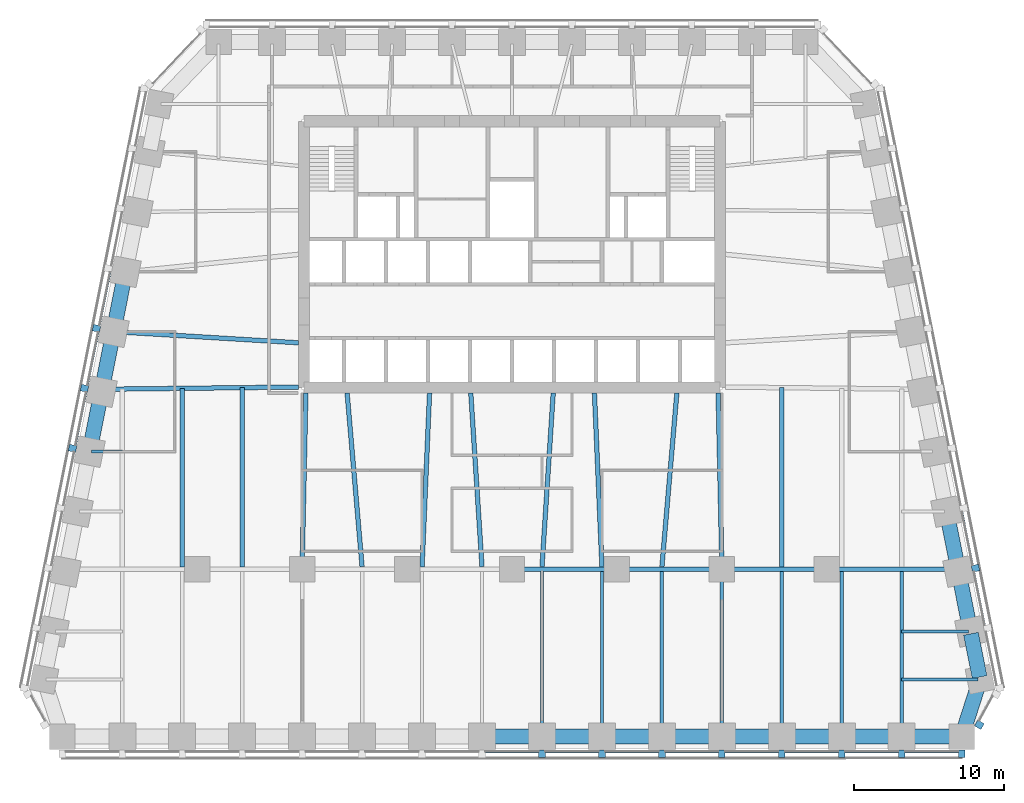
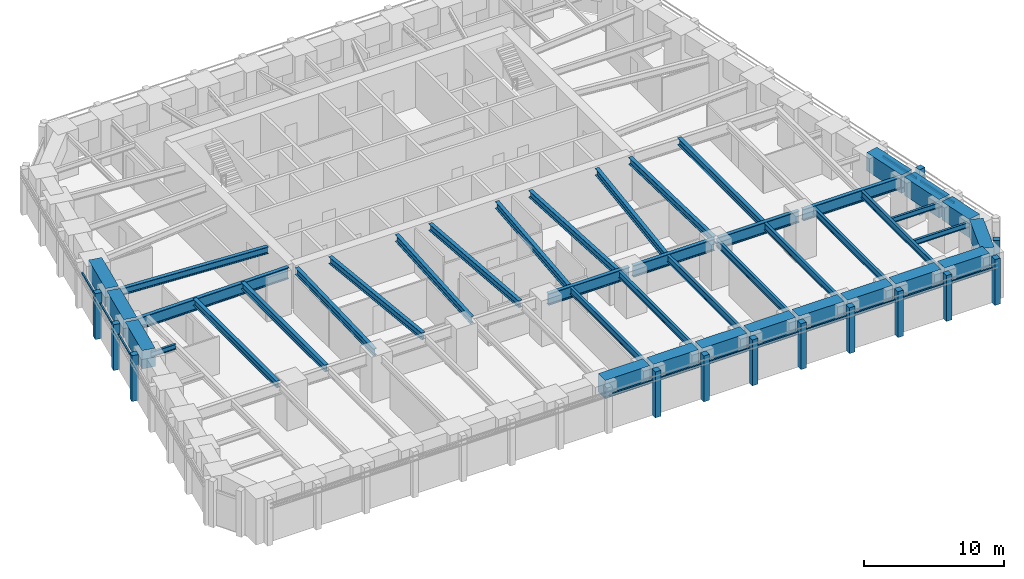
# One storey, part 2 of 10: 42 beams, 26 members, 4 elements without a shape of their own.
"""IFC4 building model written with IfcOpenShell, lengths in metres."""

from ifc_helpers import new_model, si_unit, direction, frame, origin, origin_2d, place, context, subcontext, project, spatial, rectangle, i_section, extrude, material, material_profile, profile_set, type_object, element, aggregate, save


model = new_model("IFC4")

# Units and contexts
model_context = context("Model", 3, precision=1e-05, world=origin(), true_north=direction((0.0, 1.0)))
body_context = subcontext(model_context, "Body", "Model", "MODEL_VIEW")
ifc_project = project(units=[si_unit("LENGTHUNIT", "METRE"), si_unit("AREAUNIT", "SQUARE_METRE"), si_unit("VOLUMEUNIT", "CUBIC_METRE"), si_unit("PLANEANGLEUNIT", "RADIAN"), si_unit("MASSUNIT", "GRAM", prefix="KILO")], contexts=[model_context])

# Site, building, storey
site_placement = place(None, origin())
site = spatial("IfcSite", under=ifc_project, at=site_placement, CompositionType="ELEMENT")
building_placement = place(site_placement, origin())
building = spatial("IfcBuilding", under=site, at=building_placement, Name="Isbrekke Arena Tower", CompositionType="ELEMENT")
storey_placement = place(building_placement, frame((0.0, 0.0, 143.0)))
storey = spatial("IfcBuildingStorey", under=building, at=storey_placement, Name="L32", CompositionType="ELEMENT", Elevation=143.0)

# Beams
ifc_material_1 = material(Name="Steel S355", Category="steel")
ifc_material_profile_1 = material_profile(ifc_material_1, i_section(OverallWidth=0.219970703125, OverallDepth=0.60009765625, WebThickness=0.011962890625, FlangeThickness=0.01904296875, FilletRadius=0.02392578125, at=origin_2d()), Name="IPE 600")
ifc_profile_set_1 = profile_set([ifc_material_profile_1], Name="Steel S355")
beam_type_1 = type_object("IfcBeamType", Name="B1 IPE 600", PredefinedType="BEAM", material=ifc_profile_set_1)
for number, where, z_axis, x_axis, name in (
    (1, (2.0, -17.02490234375, 3.550048828125), (0.0, 1.0, 0.0), (-1.0, 0.0, 0.0), "B1 beam S-S09 L32"),
    (2, (6.0, -17.02490234375, 3.550048828125), (0.0, 1.0, 0.0), (-1.0, 0.0, 0.0), "B1 beam S-S10 L32"),
    (3, (10.0, -17.02490234375, 3.550048828125), (0.0, 1.0, 0.0), (-1.0, 0.0, 0.0), "B1 beam S-S11 L32"),
):
    element("IfcBeam", number, at=place(storey_placement, frame(where, z_axis=z_axis, x_axis=x_axis)), inside=storey, type_object=beam_type_1, Name=name, PredefinedType="BEAM", context=body_context, shape_type="SweptSolid", body=[
        extrude(i_section(OverallWidth=0.219970703125, OverallDepth=0.60009765625, WebThickness=0.011962890625, FlangeThickness=0.01904296875, FilletRadius=0.02392578125, at=origin_2d()), origin(), (0.0, 0.0, 1.0), 10.8740234375),
    ])
beam_1_placement = place(storey_placement, frame((14.0, -17.02490234375, 3.550048828125), z_axis=(0.0, 1.0, 0.0), x_axis=(-1.0, 0.0, 0.0)))
element("IfcBeam", 4, at=beam_1_placement, inside=storey, type_object=beam_type_1, Name="B1 beam S-S12 L32", PredefinedType="BEAM", context=body_context, shape_type="SweptSolid", body=[
    extrude(i_section(OverallWidth=0.219970703125, OverallDepth=0.60009765625, WebThickness=0.011962890625, FlangeThickness=0.01904296875, FilletRadius=0.02392578125, at=origin_2d()), origin(), (0.0, 0.0, 1.0), 10.875),
])
for number, where, z_axis, x_axis, name in (
    (5, (18.0, -17.02490234375, 3.550048828125), (0.0, 1.0, 0.0), (-1.0, 0.0, 0.0), "B1 beam S-S13 L32"),
    (6, (22.0, -17.02490234375, 3.550048828125), (0.0, 1.0, 0.0), (-1.0, 0.0, 0.0), "B1 beam S-S14 L32"),
    (7, (26.0, -17.02490234375, 3.550048828125), (0.0, 1.0, 0.0), (-1.0, 0.0, 0.0), "B1 beam S-S15 L32"),
):
    element("IfcBeam", number, at=place(storey_placement, frame(where, z_axis=z_axis, x_axis=x_axis)), inside=storey, type_object=beam_type_1, Name=name, PredefinedType="BEAM", context=body_context, shape_type="SweptSolid", body=[
        extrude(i_section(OverallWidth=0.219970703125, OverallDepth=0.60009765625, WebThickness=0.011962890625, FlangeThickness=0.01904296875, FilletRadius=0.02392578125, at=origin_2d()), origin(), (0.0, 0.0, 1.0), 10.8740234375),
    ])
ifc_material_2 = material(Name="Steel S355", Category="steel")
ifc_material_profile_2 = material_profile(ifc_material_2, i_section(OverallWidth=0.18994140625, OverallDepth=0.449951171875, WebThickness=0.009521484375, FlangeThickness=0.0146484375, FilletRadius=0.02099609375, at=origin_2d()), Name="IPE 450")
ifc_profile_set_2 = profile_set([ifc_material_profile_2], Name="Steel S355")
beam_type_2 = type_object("IfcBeamType", Name="B2 IPE 450", PredefinedType="BEAM", material=ifc_profile_set_2)
beam_2_placement = place(storey_placement, frame((31.079345703125, -13.352783203125, 3.625), z_axis=(-1.0, 0.0, 0.0), x_axis=(0.0, -1.0, 0.0)))
element("IfcBeam", 8, at=beam_2_placement, inside=storey, type_object=beam_type_2, Name="B2 beam E-E01 L32", PredefinedType="BEAM", context=body_context, shape_type="SweptSolid", body=[
    extrude(i_section(OverallWidth=0.18994140625, OverallDepth=0.449951171875, WebThickness=0.009521484375, FlangeThickness=0.0146484375, FilletRadius=0.02099609375, at=origin_2d()), origin(), (0.0, 0.0, 1.0), 5.079345703125),
])
beam_3_placement = place(storey_placement, frame((30.44091796875, -10.161865234375, 3.625), z_axis=(-1.0, 0.0, 0.0), x_axis=(0.0, -1.0, 0.0)))
element("IfcBeam", 9, at=beam_3_placement, inside=storey, type_object=beam_type_2, Name="B2 beam E-E02 L32", PredefinedType="BEAM", context=body_context, shape_type="SweptSolid", body=[
    extrude(i_section(OverallWidth=0.18994140625, OverallDepth=0.449951171875, WebThickness=0.009521484375, FlangeThickness=0.0146484375, FilletRadius=0.02099609375, at=origin_2d()), origin(), (0.0, 0.0, 1.0), 4.44091796875),
])
beam_4_placement = place(storey_placement, frame((-28.041015625, 1.838134765625, 3.625), z_axis=(1.0, 0.0, 0.0), x_axis=(0.0, 1.0, 0.0)))
element("IfcBeam", 10, at=beam_4_placement, inside=storey, type_object=beam_type_2, Name="B2 beam E-W07 L32", PredefinedType="BEAM", context=body_context, shape_type="SweptSolid", body=[
    extrude(i_section(OverallWidth=0.18994140625, OverallDepth=0.449951171875, WebThickness=0.009521484375, FlangeThickness=0.0146484375, FilletRadius=0.02099609375, at=origin_2d()), origin(), (0.0, 0.0, 1.0), 2.041015625),
])
ifc_material_3 = material(Name="Steel S355", Category="steel")
ifc_material_profile_3 = material_profile(ifc_material_3, i_section(OverallWidth=0.300048828125, OverallDepth=0.60009765625, WebThickness=0.015380859375, FlangeThickness=0.030029296875, FilletRadius=0.027099609375, at=origin_2d()), Name="HEB 600")
ifc_profile_set_3 = profile_set([ifc_material_profile_3], Name="Steel S355")
beam_type_3 = type_object("IfcBeamType", Name="B7 HEB 600", PredefinedType="BEAM", material=ifc_profile_set_3)
beam_5_placement = place(storey_placement, frame((-22.0, -5.84912109375, 3.550048828125), z_axis=(0.0, 1.0, 0.0), x_axis=(-1.0, 0.0, 0.0)))
element("IfcBeam", 11, at=beam_5_placement, inside=storey, type_object=beam_type_3, Name="B7 beam C-M02 L32", PredefinedType="BEAM", context=body_context, shape_type="SweptSolid", body=[
    extrude(i_section(OverallWidth=0.300048828125, OverallDepth=0.60009765625, WebThickness=0.015380859375, FlangeThickness=0.030029296875, FilletRadius=0.027099609375, at=origin_2d()), origin(), (0.0, 0.0, 1.0), 11.91064453125),
])
beam_6_placement = place(storey_placement, frame((-18.0, -5.84912109375, 3.550048828125), z_axis=(0.0, 1.0, 0.0), x_axis=(-1.0, 0.0, 0.0)))
element("IfcBeam", 12, at=beam_6_placement, inside=storey, type_object=beam_type_3, Name="B7 beam C-M03 L32", PredefinedType="BEAM", context=body_context, shape_type="SweptSolid", body=[
    extrude(i_section(OverallWidth=0.300048828125, OverallDepth=0.60009765625, WebThickness=0.015380859375, FlangeThickness=0.030029296875, FilletRadius=0.027099609375, at=origin_2d()), origin(), (0.0, 0.0, 1.0), 11.956298828125),
])
beam_7_placement = place(storey_placement, frame((-14.0, -5.8466796875, 3.550048828125), z_axis=(0.021552887044, 0.999767709551, 0.0), x_axis=(-0.999767709551, 0.021552887044, 0.0)))
element("IfcBeam", 13, at=beam_7_placement, inside=storey, type_object=beam_type_3, Name="B7 beam C-M04 L32", PredefinedType="BEAM", context=body_context, shape_type="SweptSolid", body=[
    extrude(i_section(OverallWidth=0.300048828125, OverallDepth=0.60009765625, WebThickness=0.015380859375, FlangeThickness=0.030029296875, FilletRadius=0.027099609375, at=origin_2d()), origin(), (0.0, 0.0, 1.0), 11.599365234375),
])
beam_8_placement = place(storey_placement, frame((-10.001220703125, -5.836181640625, 3.550048828125), z_axis=(-0.085885827104, 0.996304985786, 0.0), x_axis=(-0.996304985786, -0.085885827104, 0.0)))
element("IfcBeam", 14, at=beam_8_placement, inside=storey, type_object=beam_type_3, Name="B7 beam C-M05 L32", PredefinedType="BEAM", context=body_context, shape_type="SweptSolid", body=[
    extrude(i_section(OverallWidth=0.300048828125, OverallDepth=0.60009765625, WebThickness=0.015380859375, FlangeThickness=0.030029296875, FilletRadius=0.027099609375, at=origin_2d()), origin(), (0.0, 0.0, 1.0), 11.629150390625),
])
beam_9_placement = place(storey_placement, frame((-5.999755859375, -5.842529296875, 3.550048828125), z_axis=(0.043070161667, 0.999072050041, 0.0), x_axis=(-0.999072050041, 0.043070161667, 0.0)))
element("IfcBeam", 15, at=beam_9_placement, inside=storey, type_object=beam_type_3, Name="B7 beam C-M06 L32", PredefinedType="BEAM", context=body_context, shape_type="SweptSolid", body=[
    extrude(i_section(OverallWidth=0.300048828125, OverallDepth=0.60009765625, WebThickness=0.015380859375, FlangeThickness=0.030029296875, FilletRadius=0.027099609375, at=origin_2d()), origin(), (0.0, 0.0, 1.0), 11.603271484375),
])
for number, where, z_axis, x_axis, name in (
    (16, (-2.000732421875, -5.83935546875, 3.550048828125), (-0.064516666031, 0.997916629686, 0.0), (-0.997916629686, -0.064516666031, 0.0), "B7 beam C-M07 L32"),
    (17, (2.000732421875, -5.83935546875, 3.550048828125), (0.064516666031, 0.997916629686, 0.0), (-0.997916629686, 0.064516666031, 0.0), "B7 beam C-M08 L32"),
):
    element("IfcBeam", number, at=place(storey_placement, frame(where, z_axis=z_axis, x_axis=x_axis)), inside=storey, type_object=beam_type_3, Name=name, PredefinedType="BEAM", context=body_context, shape_type="SweptSolid", body=[
        extrude(i_section(OverallWidth=0.300048828125, OverallDepth=0.60009765625, WebThickness=0.015380859375, FlangeThickness=0.030029296875, FilletRadius=0.027099609375, at=origin_2d()), origin(), (0.0, 0.0, 1.0), 11.613525390625),
    ])
beam_10_placement = place(storey_placement, frame((5.999755859375, -5.842529296875, 3.550048828125), z_axis=(-0.043070161667, 0.999072050041, 0.0), x_axis=(-0.999072050041, -0.043070161667, 0.0)))
element("IfcBeam", 18, at=beam_10_placement, inside=storey, type_object=beam_type_3, Name="B7 beam C-M09 L32", PredefinedType="BEAM", context=body_context, shape_type="SweptSolid", body=[
    extrude(i_section(OverallWidth=0.300048828125, OverallDepth=0.60009765625, WebThickness=0.015380859375, FlangeThickness=0.030029296875, FilletRadius=0.027099609375, at=origin_2d()), origin(), (0.0, 0.0, 1.0), 11.603271484375),
])
beam_11_placement = place(storey_placement, frame((10.001220703125, -5.836181640625, 3.550048828125), z_axis=(0.085885827104, 0.996304985786, 0.0), x_axis=(-0.996304985786, 0.085885827104, 0.0)))
element("IfcBeam", 19, at=beam_11_placement, inside=storey, type_object=beam_type_3, Name="B7 beam C-M10 L32", PredefinedType="BEAM", context=body_context, shape_type="SweptSolid", body=[
    extrude(i_section(OverallWidth=0.300048828125, OverallDepth=0.60009765625, WebThickness=0.015380859375, FlangeThickness=0.030029296875, FilletRadius=0.027099609375, at=origin_2d()), origin(), (0.0, 0.0, 1.0), 11.629150390625),
])
beam_12_placement = place(storey_placement, frame((14.0, -5.8466796875, 3.550048828125), z_axis=(-0.021552887044, 0.999767709551, 0.0), x_axis=(-0.999767709551, -0.021552887044, 0.0)))
element("IfcBeam", 20, at=beam_12_placement, inside=storey, type_object=beam_type_3, Name="B7 beam C-M11 L32", PredefinedType="BEAM", context=body_context, shape_type="SweptSolid", body=[
    extrude(i_section(OverallWidth=0.300048828125, OverallDepth=0.60009765625, WebThickness=0.015380859375, FlangeThickness=0.030029296875, FilletRadius=0.027099609375, at=origin_2d()), origin(), (0.0, 0.0, 1.0), 11.599365234375),
])
beam_13_placement = place(storey_placement, frame((18.0, -5.84912109375, 3.550048828125), z_axis=(0.0, 1.0, 0.0), x_axis=(-1.0, 0.0, 0.0)))
element("IfcBeam", 21, at=beam_13_placement, inside=storey, type_object=beam_type_3, Name="B7 beam C-M12 L32", PredefinedType="BEAM", context=body_context, shape_type="SweptSolid", body=[
    extrude(i_section(OverallWidth=0.300048828125, OverallDepth=0.60009765625, WebThickness=0.015380859375, FlangeThickness=0.030029296875, FilletRadius=0.027099609375, at=origin_2d()), origin(), (0.0, 0.0, 1.0), 11.956298828125),
])
beam_14_placement = place(storey_placement, frame((-26.431884765625, 9.837646484375, 3.550048828125), z_axis=(0.998172191876, -0.060434057993, 0.0), x_axis=(0.060434057993, 0.998172191876, 0.0)))
element("IfcBeam", 22, at=beam_14_placement, inside=storey, type_object=beam_type_3, Name="B7 beam E-W05 L32", PredefinedType="BEAM", context=body_context, shape_type="SweptSolid", body=[
    extrude(i_section(OverallWidth=0.300048828125, OverallDepth=0.60009765625, WebThickness=0.015380859375, FlangeThickness=0.030029296875, FilletRadius=0.027099609375, at=origin_2d()), origin(), (0.0, 0.0, 1.0), 12.2041015625),
])

# Curtain wall, members
ifc_material_4 = material(Name="Glazed aluminium curtain wall", Category="aluminium")
curtain_wall_type = type_object("IfcCurtainWallType", Name="CWM TOWER CURTAIN WALL MID ZONE", PredefinedType="USERDEFINED", material=ifc_material_4)
curtain_wall_1_placement = place(storey_placement, origin())
curtain_wall_1 = element("IfcCurtainWall", 23, at=curtain_wall_1_placement, inside=storey, type_object=curtain_wall_type, Name="CWM curtain wall L32-S", ObjectType="TOWER CURTAIN WALL MID ZONE", PredefinedType="USERDEFINED")
ifc_material_5 = material(Name="Aluminium mullion, pale brick slip cladding", Category="masonry")
ifc_material_profile_4 = material_profile(ifc_material_5, rectangle(XDim=0.449951171875, YDim=0.5, at=origin_2d()), Name="PIER 450X500")
ifc_profile_set_4 = profile_set([ifc_material_profile_4], Name="Aluminium mullion, pale brick slip cladding")
member_type_1 = type_object("IfcMemberType", Name="CWM-M PIER MULLION 450 x 500", PredefinedType="MULLION", material=ifc_profile_set_4)
member_1_placement = place(storey_placement, frame((2.0, -18.324951171875, 0.0), z_axis=(0.0, 0.0, 1.0), x_axis=(1.0, 0.0, 0.0)))
member_1 = element("IfcMember", 24, at=member_1_placement, type_object=member_type_1, Name="CWM-M mullion 9", PredefinedType="MULLION", context=body_context, shape_type="SweptSolid", body=[
    extrude(rectangle(XDim=0.449951171875, YDim=0.5, at=origin_2d()), origin(), (0.0, 0.0, 1.0), 4.0),
])
member_2_placement = place(storey_placement, frame((6.0, -18.324951171875, 0.0), z_axis=(0.0, 0.0, 1.0), x_axis=(1.0, 0.0, 0.0)))
member_2 = element("IfcMember", 25, at=member_2_placement, type_object=member_type_1, Name="CWM-M mullion 10", PredefinedType="MULLION", context=body_context, shape_type="SweptSolid", body=[
    extrude(rectangle(XDim=0.449951171875, YDim=0.5, at=origin_2d()), origin(), (0.0, 0.0, 1.0), 4.0),
])
member_3_placement = place(storey_placement, frame((10.0, -18.324951171875, 0.0), z_axis=(0.0, 0.0, 1.0), x_axis=(1.0, 0.0, 0.0)))
member_3 = element("IfcMember", 26, at=member_3_placement, type_object=member_type_1, Name="CWM-M mullion 11", PredefinedType="MULLION", context=body_context, shape_type="SweptSolid", body=[
    extrude(rectangle(XDim=0.449951171875, YDim=0.5, at=origin_2d()), origin(), (0.0, 0.0, 1.0), 4.0),
])
member_4_placement = place(storey_placement, frame((14.0, -18.324951171875, 0.0), z_axis=(0.0, 0.0, 1.0), x_axis=(1.0, 0.0, 0.0)))
member_4 = element("IfcMember", 27, at=member_4_placement, type_object=member_type_1, Name="CWM-M mullion 12", PredefinedType="MULLION", context=body_context, shape_type="SweptSolid", body=[
    extrude(rectangle(XDim=0.449951171875, YDim=0.5, at=origin_2d()), origin(), (0.0, 0.0, 1.0), 4.0),
])
member_5_placement = place(storey_placement, frame((18.0, -18.324951171875, 0.0), z_axis=(0.0, 0.0, 1.0), x_axis=(1.0, 0.0, 0.0)))
member_5 = element("IfcMember", 28, at=member_5_placement, type_object=member_type_1, Name="CWM-M mullion 13", PredefinedType="MULLION", context=body_context, shape_type="SweptSolid", body=[
    extrude(rectangle(XDim=0.449951171875, YDim=0.5, at=origin_2d()), origin(), (0.0, 0.0, 1.0), 4.0),
])
member_6_placement = place(storey_placement, frame((22.0, -18.324951171875, 0.0), z_axis=(0.0, 0.0, 1.0), x_axis=(1.0, 0.0, 0.0)))
member_6 = element("IfcMember", 29, at=member_6_placement, type_object=member_type_1, Name="CWM-M mullion 14", PredefinedType="MULLION", context=body_context, shape_type="SweptSolid", body=[
    extrude(rectangle(XDim=0.449951171875, YDim=0.5, at=origin_2d()), origin(), (0.0, 0.0, 1.0), 4.0),
])
member_7_placement = place(storey_placement, frame((26.0, -18.324951171875, 0.0), z_axis=(0.0, 0.0, 1.0), x_axis=(1.0, 0.0, 0.0)))
member_7 = element("IfcMember", 30, at=member_7_placement, type_object=member_type_1, Name="CWM-M mullion 15", PredefinedType="MULLION", context=body_context, shape_type="SweptSolid", body=[
    extrude(rectangle(XDim=0.449951171875, YDim=0.5, at=origin_2d()), origin(), (0.0, 0.0, 1.0), 4.0),
])
member_8_placement = place(storey_placement, frame((30.0, -18.324951171875, 0.0), z_axis=(0.0, 0.0, 1.0), x_axis=(1.0, 0.0, 0.0)))
member_8 = element("IfcMember", 31, at=member_8_placement, type_object=member_type_1, Name="CWM-M mullion 16", PredefinedType="MULLION", context=body_context, shape_type="SweptSolid", body=[
    extrude(rectangle(XDim=0.449951171875, YDim=0.5, at=origin_2d()), origin(), (0.0, 0.0, 1.0), 4.0),
])

# Curtain wall, member
curtain_wall_2_placement = place(storey_placement, origin())
curtain_wall_2 = element("IfcCurtainWall", 32, at=curtain_wall_2_placement, inside=storey, type_object=curtain_wall_type, Name="CWM curtain wall L32-SE", ObjectType="TOWER CURTAIN WALL MID ZONE", PredefinedType="USERDEFINED")
member_9_placement = place(storey_placement, frame((31.17529296875, -16.382080078125, 0.0), z_axis=(0.0, 0.0, 1.0), x_axis=(0.481918749773, 0.876215908676, 0.0)))
member_9 = element("IfcMember", 33, at=member_9_placement, type_object=member_type_1, Name="CWM-M mullion 1", PredefinedType="MULLION", context=body_context, shape_type="SweptSolid", body=[
    extrude(rectangle(XDim=0.449951171875, YDim=0.5, at=origin_2d()), origin(), (0.0, 0.0, 1.0), 4.0),
])
aggregate(curtain_wall_2, [member_9])

curtain_wall_3_placement = place(storey_placement, origin())
curtain_wall_3 = element("IfcCurtainWall", 34, at=curtain_wall_3_placement, inside=storey, type_object=curtain_wall_type, Name="CWM curtain wall L32-E", ObjectType="TOWER CURTAIN WALL MID ZONE", PredefinedType="USERDEFINED")
member_10_placement = place(storey_placement, frame((30.918701171875, -5.936279296875, 0.0), z_axis=(0.0, 0.0, 1.0), x_axis=(-0.196116135138, 0.980580675691, 0.0)))
member_10 = element("IfcMember", 35, at=member_10_placement, type_object=member_type_1, Name="CWM-M mullion 3", PredefinedType="MULLION", context=body_context, shape_type="SweptSolid", body=[
    extrude(rectangle(XDim=0.449951171875, YDim=0.5, at=origin_2d()), origin(), (0.0, 0.0, 1.0), 4.0),
])

# Curtain wall, members
curtain_wall_4_placement = place(storey_placement, origin())
curtain_wall_4 = element("IfcCurtainWall", 36, at=curtain_wall_4_placement, inside=storey, type_object=curtain_wall_type, Name="CWM curtain wall L32-W", ObjectType="TOWER CURTAIN WALL MID ZONE", PredefinedType="USERDEFINED")
member_11_placement = place(storey_placement, frame((-27.71875, 10.063720703125, 0.0), z_axis=(0.0, 0.0, 1.0), x_axis=(-0.196116135138, -0.980580675691, 0.0)))
member_11 = element("IfcMember", 37, at=member_11_placement, type_object=member_type_1, Name="CWM-M mullion 5", PredefinedType="MULLION", context=body_context, shape_type="SweptSolid", body=[
    extrude(rectangle(XDim=0.449951171875, YDim=0.5, at=origin_2d()), origin(), (0.0, 0.0, 1.0), 4.0),
])
member_12_placement = place(storey_placement, frame((-28.518798828125, 6.063720703125, 0.0), z_axis=(0.0, 0.0, 1.0), x_axis=(-0.196116135138, -0.980580675691, 0.0)))
member_12 = element("IfcMember", 38, at=member_12_placement, type_object=member_type_1, Name="CWM-M mullion 6", PredefinedType="MULLION", context=body_context, shape_type="SweptSolid", body=[
    extrude(rectangle(XDim=0.449951171875, YDim=0.5, at=origin_2d()), origin(), (0.0, 0.0, 1.0), 4.0),
])
member_13_placement = place(storey_placement, frame((-29.318603515625, 2.063720703125, 0.0), z_axis=(0.0, 0.0, 1.0), x_axis=(-0.196116135138, -0.980580675691, 0.0)))
member_13 = element("IfcMember", 39, at=member_13_placement, type_object=member_type_1, Name="CWM-M mullion 7", PredefinedType="MULLION", context=body_context, shape_type="SweptSolid", body=[
    extrude(rectangle(XDim=0.449951171875, YDim=0.5, at=origin_2d()), origin(), (0.0, 0.0, 1.0), 4.0),
])

# Member
ifc_material_6 = material(Name="Aluminium transom", Category="aluminium")
ifc_material_profile_5 = material_profile(ifc_material_6, rectangle(XDim=0.1201171875, YDim=0.199951171875, at=origin_2d()), Name="TRANSOM 120X200")
ifc_profile_set_5 = profile_set([ifc_material_profile_5], Name="Aluminium transom")
member_type_2 = type_object("IfcMemberType", Name="CWM-T TRANSOM 120 x 200", PredefinedType="USERDEFINED", material=ifc_profile_set_5)
member_14_placement = place(storey_placement, frame((-1.77490234375, -18.175048828125, 3.0), z_axis=(1.0, 0.0, 0.0), x_axis=(0.0, 1.0, 0.0)))
member_14 = element("IfcMember", 40, at=member_14_placement, type_object=member_type_2, Name="CWM-T transom 8", ObjectType="TRANSOM", PredefinedType="USERDEFINED", context=body_context, shape_type="SweptSolid", body=[
    extrude(rectangle(XDim=0.1201171875, YDim=0.199951171875, at=origin_2d()), origin(), (0.0, 0.0, 1.0), 3.5498046875),
])

member_15_placement = place(storey_placement, frame((2.22509765625, -18.175048828125, 3.0), z_axis=(1.0, 0.0, 0.0), x_axis=(0.0, 1.0, 0.0)))
member_15 = element("IfcMember", 41, at=member_15_placement, type_object=member_type_2, Name="CWM-T transom 9", ObjectType="TRANSOM", PredefinedType="USERDEFINED", context=body_context, shape_type="SweptSolid", body=[
    extrude(rectangle(XDim=0.1201171875, YDim=0.199951171875, at=origin_2d()), origin(), (0.0, 0.0, 1.0), 3.5498046875),
])

member_16_placement = place(storey_placement, frame((6.22509765625, -18.175048828125, 3.0), z_axis=(1.0, 0.0, 0.0), x_axis=(0.0, 1.0, 0.0)))
member_16 = element("IfcMember", 42, at=member_16_placement, type_object=member_type_2, Name="CWM-T transom 10", ObjectType="TRANSOM", PredefinedType="USERDEFINED", context=body_context, shape_type="SweptSolid", body=[
    extrude(rectangle(XDim=0.1201171875, YDim=0.199951171875, at=origin_2d()), origin(), (0.0, 0.0, 1.0), 3.5498046875),
])

member_17_placement = place(storey_placement, frame((10.22509765625, -18.175048828125, 3.0), z_axis=(1.0, 0.0, 0.0), x_axis=(0.0, 1.0, 0.0)))
member_17 = element("IfcMember", 43, at=member_17_placement, type_object=member_type_2, Name="CWM-T transom 11", ObjectType="TRANSOM", PredefinedType="USERDEFINED", context=body_context, shape_type="SweptSolid", body=[
    extrude(rectangle(XDim=0.1201171875, YDim=0.199951171875, at=origin_2d()), origin(), (0.0, 0.0, 1.0), 3.5498046875),
])

member_18_placement = place(storey_placement, frame((14.22509765625, -18.175048828125, 3.0), z_axis=(1.0, 0.0, 0.0), x_axis=(0.0, 1.0, 0.0)))
member_18 = element("IfcMember", 44, at=member_18_placement, type_object=member_type_2, Name="CWM-T transom 12", ObjectType="TRANSOM", PredefinedType="USERDEFINED", context=body_context, shape_type="SweptSolid", body=[
    extrude(rectangle(XDim=0.1201171875, YDim=0.199951171875, at=origin_2d()), origin(), (0.0, 0.0, 1.0), 3.5498046875),
])

member_19_placement = place(storey_placement, frame((18.22509765625, -18.175048828125, 3.0), z_axis=(1.0, 0.0, 0.0), x_axis=(0.0, 1.0, 0.0)))
member_19 = element("IfcMember", 45, at=member_19_placement, type_object=member_type_2, Name="CWM-T transom 13", ObjectType="TRANSOM", PredefinedType="USERDEFINED", context=body_context, shape_type="SweptSolid", body=[
    extrude(rectangle(XDim=0.1201171875, YDim=0.199951171875, at=origin_2d()), origin(), (0.0, 0.0, 1.0), 3.5498046875),
])

member_20_placement = place(storey_placement, frame((22.22509765625, -18.175048828125, 3.0), z_axis=(1.0, 0.0, 0.0), x_axis=(0.0, 1.0, 0.0)))
member_20 = element("IfcMember", 46, at=member_20_placement, type_object=member_type_2, Name="CWM-T transom 14", ObjectType="TRANSOM", PredefinedType="USERDEFINED", context=body_context, shape_type="SweptSolid", body=[
    extrude(rectangle(XDim=0.1201171875, YDim=0.199951171875, at=origin_2d()), origin(), (0.0, 0.0, 1.0), 3.5498046875),
])

member_21_placement = place(storey_placement, frame((26.22509765625, -18.175048828125, 3.0), z_axis=(1.0, 0.0, 0.0), x_axis=(0.0, 1.0, 0.0)))
member_21 = element("IfcMember", 47, at=member_21_placement, type_object=member_type_2, Name="CWM-T transom 15", ObjectType="TRANSOM", PredefinedType="USERDEFINED", context=body_context, shape_type="SweptSolid", body=[
    extrude(rectangle(XDim=0.1201171875, YDim=0.199951171875, at=origin_2d()), origin(), (0.0, 0.0, 1.0), 3.5498046875),
])

aggregate(curtain_wall_1, [member_1, member_2, member_3, member_4, member_5, member_6, member_7, member_8, member_14, member_15, member_16, member_17, member_18, member_19, member_20, member_21])

member_22_placement = place(storey_placement, frame((31.527587890625, -9.7451171875, 3.0), z_axis=(-0.196154943734, 0.980572913173, 0.0), x_axis=(-0.980572913173, -0.196154943734, 0.0)))
member_22 = element("IfcMember", 48, at=member_22_placement, type_object=member_type_2, Name="CWM-T transom 2", ObjectType="TRANSOM", PredefinedType="USERDEFINED", context=body_context, shape_type="SweptSolid", body=[
    extrude(rectangle(XDim=0.1201171875, YDim=0.199951171875, at=origin_2d()), origin(), (0.0, 0.0, 1.0), 3.62939453125),
])

member_23_placement = place(storey_placement, frame((30.7275390625, -5.7451171875, 3.0), z_axis=(-0.196154943734, 0.980572913173, 0.0), x_axis=(-0.980572913173, -0.196154943734, 0.0)))
member_23 = element("IfcMember", 49, at=member_23_placement, type_object=member_type_2, Name="CWM-T transom 3", ObjectType="TRANSOM", PredefinedType="USERDEFINED", context=body_context, shape_type="SweptSolid", body=[
    extrude(rectangle(XDim=0.1201171875, YDim=0.199951171875, at=origin_2d()), origin(), (0.0, 0.0, 1.0), 3.62939453125),
])

aggregate(curtain_wall_3, [member_10, member_22, member_23])

member_24_placement = place(storey_placement, frame((-26.815673828125, 13.813720703125, 3.0), z_axis=(-0.196154943734, -0.980572913173, 0.0), x_axis=(0.980572913173, -0.196154943734, 0.0)))
member_24 = element("IfcMember", 50, at=member_24_placement, type_object=member_type_2, Name="CWM-T transom 4", ObjectType="TRANSOM", PredefinedType="USERDEFINED", context=body_context, shape_type="SweptSolid", body=[
    extrude(rectangle(XDim=0.1201171875, YDim=0.199951171875, at=origin_2d()), origin(), (0.0, 0.0, 1.0), 3.62939453125),
])

member_25_placement = place(storey_placement, frame((-27.61572265625, 9.813720703125, 3.0), z_axis=(-0.196090262229, -0.980585849918, 0.0), x_axis=(0.980585849918, -0.196090262229, 0.0)))
member_25 = element("IfcMember", 51, at=member_25_placement, type_object=member_type_2, Name="CWM-T transom 5", ObjectType="TRANSOM", PredefinedType="USERDEFINED", context=body_context, shape_type="SweptSolid", body=[
    extrude(rectangle(XDim=0.1201171875, YDim=0.199951171875, at=origin_2d()), origin(), (0.0, 0.0, 1.0), 3.62939453125),
])

member_26_placement = place(storey_placement, frame((-28.415771484375, 5.813720703125, 3.0), z_axis=(-0.196090262229, -0.980585849918, 0.0), x_axis=(0.980585849918, -0.196090262229, 0.0)))
member_26 = element("IfcMember", 52, at=member_26_placement, type_object=member_type_2, Name="CWM-T transom 6", ObjectType="TRANSOM", PredefinedType="USERDEFINED", context=body_context, shape_type="SweptSolid", body=[
    extrude(rectangle(XDim=0.1201171875, YDim=0.199951171875, at=origin_2d()), origin(), (0.0, 0.0, 1.0), 3.62939453125),
])

aggregate(curtain_wall_4, [member_11, member_12, member_13, member_24, member_25, member_26])

# Beams
ifc_material_7 = material(Name="Steel S355", Category="steel")
ifc_material_profile_6 = material_profile(ifc_material_7, i_section(OverallWidth=0.302001953125, OverallDepth=1.008056640625, WebThickness=0.02099609375, FlangeThickness=0.0400390625, FilletRadius=0.030029296875, at=origin_2d()), Name="HEM 1000")
ifc_profile_set_6 = profile_set([ifc_material_profile_6], Name="Steel S355")
beam_type_4 = type_object("IfcBeamType", Name="G1 HEM 1000", PredefinedType="BEAM", material=ifc_profile_set_6)
for number, where, z_axis, x_axis, name in (
    (53, (0.14990234375, -6.0, 3.345947265625), (1.0, 0.0, 0.0), (0.0, 1.0, 0.0), "G1 beam G1-05 L32"),
    (54, (7.14990234375, -6.0, 3.345947265625), (1.0, 0.0, 0.0), (0.0, 1.0, 0.0), "G1 beam G1-06 L32"),
    (55, (14.14990234375, -6.0, 3.345947265625), (1.0, 0.0, 0.0), (0.0, 1.0, 0.0), "G1 beam G1-07 L32"),
):
    element("IfcBeam", number, at=place(storey_placement, frame(where, z_axis=z_axis, x_axis=x_axis)), inside=storey, type_object=beam_type_4, Name=name, PredefinedType="BEAM", context=body_context, shape_type="SweptSolid", body=[
        extrude(i_section(OverallWidth=0.302001953125, OverallDepth=1.008056640625, WebThickness=0.02099609375, FlangeThickness=0.0400390625, FilletRadius=0.030029296875, at=origin_2d()), origin(), (0.0, 0.0, 1.0), 6.7001953125),
    ])
beam_15_placement = place(storey_placement, frame((21.14990234375, -6.0, 3.345947265625), z_axis=(1.0, 0.0, 0.0), x_axis=(0.0, 1.0, 0.0)))
element("IfcBeam", 56, at=beam_15_placement, inside=storey, type_object=beam_type_4, Name="G1 beam G1-08 L32", PredefinedType="BEAM", context=body_context, shape_type="SweptSolid", body=[
    extrude(i_section(OverallWidth=0.302001953125, OverallDepth=1.008056640625, WebThickness=0.02099609375, FlangeThickness=0.0400390625, FilletRadius=0.030029296875, at=origin_2d()), origin(), (0.0, 0.0, 1.0), 8.64111328125),
])
ifc_material_8 = material(Name="Steel S355", Category="steel")
ifc_material_profile_7 = material_profile(ifc_material_8, i_section(OverallWidth=0.302001953125, OverallDepth=1.008056640625, WebThickness=0.02099609375, FlangeThickness=0.0400390625, FilletRadius=0.030029296875, at=origin_2d()), Name="HEM 1000")
ifc_profile_set_7 = profile_set([ifc_material_profile_7], Name="Steel S355")
beam_type_5 = type_object("IfcBeamType", Name="G2 HEM 1000", PredefinedType="BEAM", material=ifc_profile_set_7)
beam_16_placement = place(storey_placement, frame((-14.25, 6.14990234375, 3.345947265625), z_axis=(-0.999934928157, -0.011407867963, 0.0), x_axis=(0.011407867963, -0.999934928157, 0.0)))
element("IfcBeam", 57, at=beam_16_placement, inside=storey, type_object=beam_type_5, Name="G2 beam G2-W L32", PredefinedType="BEAM", context=body_context, shape_type="SweptSolid", body=[
    extrude(i_section(OverallWidth=0.302001953125, OverallDepth=1.008056640625, WebThickness=0.02099609375, FlangeThickness=0.0400390625, FilletRadius=0.030029296875, at=origin_2d()), origin(), (0.0, 0.0, 1.0), 13.140380859375),
])
ifc_material_9 = material(Name="Concrete B80 (C80/95)", Category="concrete")
ifc_material_profile_8 = material_profile(ifc_material_9, rectangle(XDim=1.0, YDim=1.60009765625, at=origin_2d()), Name="RC 1000x1600")
ifc_profile_set_8 = profile_set([ifc_material_profile_8], Name="Concrete B80 (C80/95)")
beam_type_6 = type_object("IfcBeamType", Name="SB2 RC 1000 x 1600", PredefinedType="SPANDREL", material=ifc_profile_set_8)
for number, where, z_axis, x_axis, name in (
    (58, (-1.85009765625, -17.175048828125, 3.199951171875), (1.0, 0.0, 0.0), (0.0, 1.0, 0.0), "SB2 spandrel S08-S09 L32"),
    (59, (2.14990234375, -17.175048828125, 3.199951171875), (1.0, 0.0, 0.0), (0.0, 1.0, 0.0), "SB2 spandrel S09-S10 L32"),
    (60, (6.14990234375, -17.175048828125, 3.199951171875), (1.0, 0.0, 0.0), (0.0, 1.0, 0.0), "SB2 spandrel S10-S11 L32"),
    (61, (10.14990234375, -17.175048828125, 3.199951171875), (1.0, 0.0, 0.0), (0.0, 1.0, 0.0), "SB2 spandrel S11-S12 L32"),
    (62, (14.14990234375, -17.175048828125, 3.199951171875), (1.0, 0.0, 0.0), (0.0, 1.0, 0.0), "SB2 spandrel S12-S13 L32"),
    (63, (18.14990234375, -17.175048828125, 3.199951171875), (1.0, 0.0, 0.0), (0.0, 1.0, 0.0), "SB2 spandrel S13-S14 L32"),
    (64, (22.14990234375, -17.175048828125, 3.199951171875), (1.0, 0.0, 0.0), (0.0, 1.0, 0.0), "SB2 spandrel S14-S15 L32"),
    (65, (26.14990234375, -17.175048828125, 3.199951171875), (1.0, 0.0, 0.0), (0.0, 1.0, 0.0), "SB2 spandrel S15-S16 L32"),
):
    element("IfcBeam", number, at=place(storey_placement, frame(where, z_axis=z_axis, x_axis=x_axis)), inside=storey, type_object=beam_type_6, Name=name, PredefinedType="SPANDREL", context=body_context, shape_type="SweptSolid", body=[
        extrude(rectangle(XDim=1.0, YDim=1.60009765625, at=origin_2d()), origin(), (0.0, 0.0, 1.0), 3.7001953125),
    ])
beam_17_placement = place(storey_placement, frame((30.0458984375, -17.0322265625, 3.199951171875), z_axis=(0.306175101476, 0.951975213562, 0.0), x_axis=(-0.951975213562, 0.306175101476, 0.0)))
element("IfcBeam", 66, at=beam_17_placement, inside=storey, type_object=beam_type_6, Name="SB2 spandrel S16-E01 L32", PredefinedType="SPANDREL", context=body_context, shape_type="SweptSolid", body=[
    extrude(rectangle(XDim=1.0, YDim=1.60009765625, at=origin_2d()), origin(), (0.0, 0.0, 1.0), 3.715087890625),
])
beam_18_placement = place(storey_placement, frame((31.19970703125, -13.205810546875, 3.199951171875), z_axis=(-0.196100243168, 0.980583853951, 0.0), x_axis=(-0.980583853951, -0.196100243168, 0.0)))
element("IfcBeam", 67, at=beam_18_placement, inside=storey, type_object=beam_type_6, Name="SB2 spandrel E01-E02 L32", PredefinedType="SPANDREL", context=body_context, shape_type="SweptSolid", body=[
    extrude(rectangle(XDim=1.0, YDim=1.60009765625, at=origin_2d()), origin(), (0.0, 0.0, 1.0), 2.954345703125),
])
beam_19_placement = place(storey_placement, frame((30.5615234375, -10.0146484375, 3.199951171875), z_axis=(-0.1960664412, 0.980590613169, 0.0), x_axis=(-0.980590613169, -0.1960664412, 0.0)))
element("IfcBeam", 68, at=beam_19_placement, inside=storey, type_object=beam_type_6, Name="SB2 spandrel E02-E03 L32", PredefinedType="SPANDREL", context=body_context, shape_type="SweptSolid", body=[
    extrude(rectangle(XDim=1.0, YDim=1.60009765625, at=origin_2d()), origin(), (0.0, 0.0, 1.0), 3.779052734375),
])
beam_20_placement = place(storey_placement, frame((29.76171875, -6.0146484375, 3.199951171875), z_axis=(-0.196128558387, 0.980578190959, 0.0), x_axis=(-0.980578190959, -0.196128558387, 0.0)))
element("IfcBeam", 69, at=beam_20_placement, inside=storey, type_object=beam_type_6, Name="SB2 spandrel E03-E04 L32", PredefinedType="SPANDREL", context=body_context, shape_type="SweptSolid", body=[
    extrude(rectangle(XDim=1.0, YDim=1.60009765625, at=origin_2d()), origin(), (0.0, 0.0, 1.0), 3.779296875),
])
beam_21_placement = place(storey_placement, frame((-25.820556640625, 13.691162109375, 3.199951171875), z_axis=(-0.1960664412, -0.980590613169, 0.0), x_axis=(0.980590613169, -0.1960664412, 0.0)))
element("IfcBeam", 70, at=beam_21_placement, inside=storey, type_object=beam_type_6, Name="SB2 spandrel W04-W05 L32", PredefinedType="SPANDREL", context=body_context, shape_type="SweptSolid", body=[
    extrude(rectangle(XDim=1.0, YDim=1.60009765625, at=origin_2d()), origin(), (0.0, 0.0, 1.0), 3.779052734375),
])
for number, where, z_axis, x_axis, name in (
    (71, (-26.620361328125, 9.691162109375, 3.199951171875), (-0.196128558387, -0.980578190959, 0.0), (0.980578190959, -0.196128558387, 0.0), "SB2 spandrel W05-W06 L32"),
    (72, (-27.42041015625, 5.691162109375, 3.199951171875), (-0.196128558387, -0.980578190959, 0.0), (0.980578190959, -0.196128558387, 0.0), "SB2 spandrel W06-W07 L32"),
):
    element("IfcBeam", number, at=place(storey_placement, frame(where, z_axis=z_axis, x_axis=x_axis)), inside=storey, type_object=beam_type_6, Name=name, PredefinedType="SPANDREL", context=body_context, shape_type="SweptSolid", body=[
        extrude(rectangle(XDim=1.0, YDim=1.60009765625, at=origin_2d()), origin(), (0.0, 0.0, 1.0), 3.779296875),
    ])

save(model, "model.ifc")
